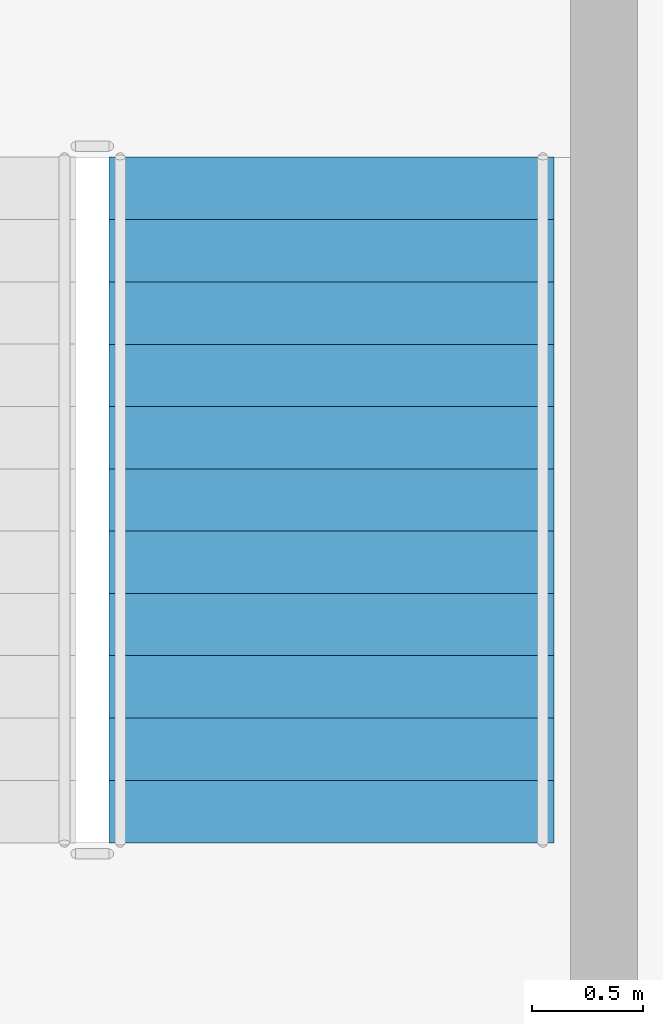
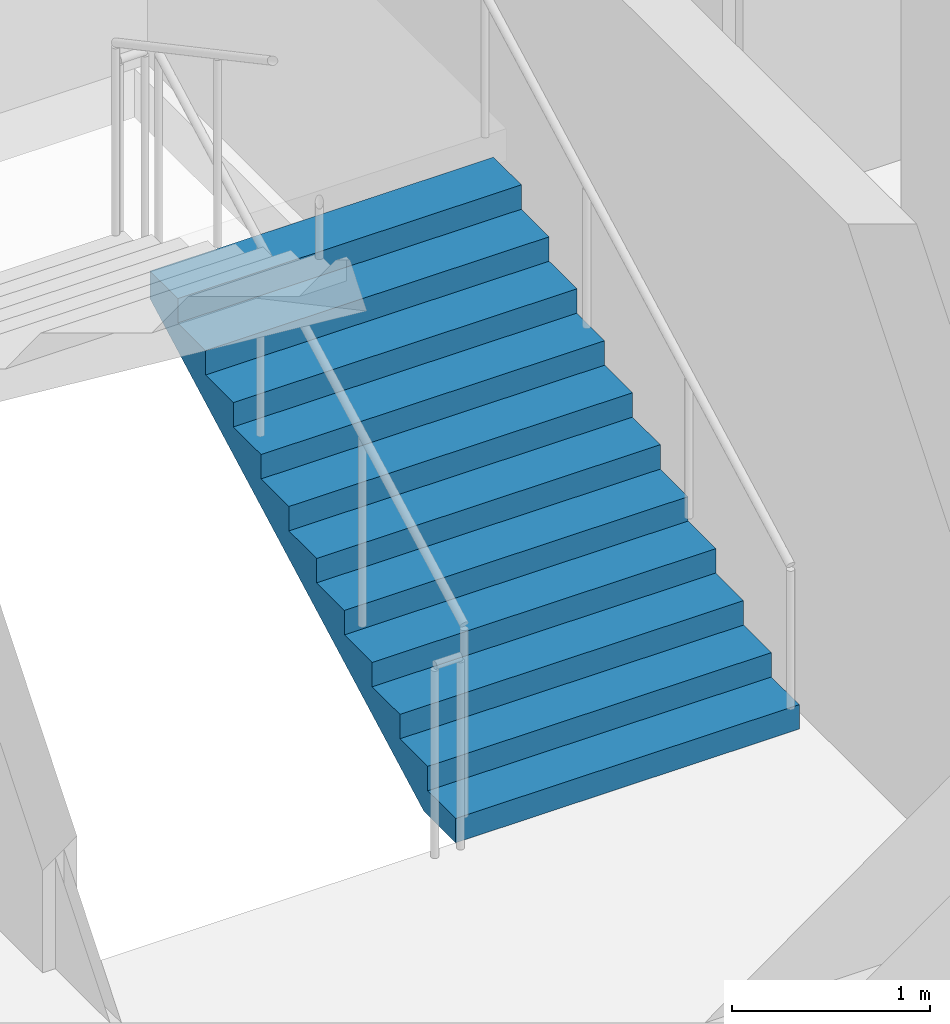
# One storey, part 12 of 15: 1 stair flight, 1 element without a shape of its own.
"""IFC4 building model written with IfcOpenShell, lengths in metres."""

from ifc_helpers import new_model, si_unit, direction, frame, origin, place, context, subcontext, project, spatial, polygons, material, type_object, element, aggregate, save


model = new_model("IFC4")

# Units and contexts
model_context = context("Model", 3, precision=1e-05, world=origin(), true_north=direction((0.0, 1.0)))
body_context = subcontext(model_context, "Body", "Model", "MODEL_VIEW")
ifc_project = project(units=[si_unit("LENGTHUNIT", "METRE"), si_unit("AREAUNIT", "SQUARE_METRE"), si_unit("VOLUMEUNIT", "CUBIC_METRE"), si_unit("PLANEANGLEUNIT", "RADIAN"), si_unit("MASSUNIT", "GRAM", prefix="KILO")], contexts=[model_context])

# Site, building, storey
site_placement = place(None, origin())
site = spatial("IfcSite", under=ifc_project, at=site_placement, CompositionType="ELEMENT")
building_placement = place(site_placement, origin())
building = spatial("IfcBuilding", under=site, at=building_placement, Name="Caravel Reach Hotel and Residences", CompositionType="ELEMENT")
storey_placement = place(building_placement, frame((0.0, 0.0, 111.60009765625)))
storey = spatial("IfcBuildingStorey", under=building, at=storey_placement, Name="L27", CompositionType="ELEMENT", Elevation=111.60009765625)

# Stair, stair flight
ifc_material_1 = material(Name="Concrete C40", Category="concrete")
stair_type = type_object("IfcStairType", Name="Core stair", PredefinedType="HALF_TURN_STAIR", material=ifc_material_1)
stair_placement = place(storey_placement, origin())
stair = element("IfcStair", 1, at=stair_placement, inside=storey, type_object=stair_type, Name="L27 Exit stair B", PredefinedType="HALF_TURN_STAIR")
ifc_material_2 = material(Name="Concrete C40", Category="concrete")
stair_flight_type = type_object("IfcStairFlightType", Name="Core stair flight", PredefinedType="STRAIGHT", material=ifc_material_2)
stair_flight_placement = place(storey_placement, frame((43.77490234375, 24.64990234375, 0.0), z_axis=(0.0, 0.0, 1.0), x_axis=(0.0, 1.0, 0.0)))
stair_flight = element("IfcStairFlight", 2, at=stair_flight_placement, type_object=stair_flight_type, Name="ST-B flight 1", NumberOfRisers=12, NumberOfTreads=11, PredefinedType="STRAIGHT", RiserHeight=0.15, TreadLength=0.28, context=body_context, shape_type="Tessellation", body=[
    polygons([(0.3174408016601862, 1.0, 0.0), (0.3174408016601862, 0.6666666666666667, 0.0), (0.3174408016601862, 0.33333333333333337, 0.0), (0.3174408016601862, 0.0, 0.0), (0.3174408016601862, -0.33333333333333326, 0.0), (0.3174408016601862, -0.6666666666666667, 0.0), (0.3174408016601862, -1.0, 0.0), (3.081, 1.0, 1.479942427682043), (3.081, 0.6666666666666667, 1.479942427682043), (3.081, 0.33333333333333337, 1.479942427682043), (3.081, 0.0, 1.479942427682043), (3.081, -0.33333333333333326, 1.479942427682043), (3.081, -0.6666666666666667, 1.479942427682043), (3.081, -1.0, 1.479942427682043), (3.081, 1.0, 1.65), (3.081, 0.6666666666666667, 1.65), (3.081, 0.33333333333333337, 1.65), (3.081, 0.0, 1.65), (3.081, -0.33333333333333326, 1.65), (3.081, -0.6666666666666667, 1.65), (3.081, -1.0, 1.65), (2.8000000000000003, 1.0, 1.65), (2.8000000000000003, 0.6666666666666667, 1.65), (2.8000000000000003, 0.33333333333333337, 1.65), (2.8000000000000003, 0.0, 1.65), (2.8000000000000003, -0.33333333333333326, 1.65), (2.8000000000000003, -0.6666666666666667, 1.65), (2.8000000000000003, -1.0, 1.65), (2.8000000000000003, 1.0, 1.5), (2.8000000000000003, 0.6666666666666667, 1.5), (2.8000000000000003, 0.33333333333333337, 1.5), (2.8000000000000003, 0.0, 1.5), (2.8000000000000003, -0.33333333333333326, 1.5), (2.8000000000000003, -0.6666666666666667, 1.5), (2.8000000000000003, -1.0, 1.5), (2.5200000000000005, 1.0, 1.5), (2.5200000000000005, 0.6666666666666667, 1.5), (2.5200000000000005, 0.33333333333333337, 1.5), (2.5200000000000005, 0.0, 1.5), (2.5200000000000005, -0.33333333333333326, 1.5), (2.5200000000000005, -0.6666666666666667, 1.5), (2.5200000000000005, -1.0, 1.5), (2.5200000000000005, 1.0, 1.3499999999999999), (2.5200000000000005, 0.6666666666666667, 1.3499999999999999), (2.5200000000000005, 0.33333333333333337, 1.3499999999999999), (2.5200000000000005, 0.0, 1.3499999999999999), (2.5200000000000005, -0.33333333333333326, 1.3499999999999999), (2.5200000000000005, -0.6666666666666667, 1.3499999999999999), (2.5200000000000005, -1.0, 1.3499999999999999), (2.24, 1.0, 1.3499999999999999), (2.24, 0.6666666666666667, 1.3499999999999999), (2.24, 0.33333333333333337, 1.3499999999999999), (2.24, 0.0, 1.3499999999999999), (2.24, -0.33333333333333326, 1.3499999999999999), (2.24, -0.6666666666666667, 1.3499999999999999), (2.24, -1.0, 1.3499999999999999), (2.24, 1.0, 1.2), (2.24, 0.6666666666666667, 1.2), (2.24, 0.33333333333333337, 1.2), (2.24, 0.0, 1.2), (2.24, -0.33333333333333326, 1.2), (2.24, -0.6666666666666667, 1.2), (2.24, -1.0, 1.2), (1.9600000000000002, 1.0, 1.2), (1.9600000000000002, 0.6666666666666667, 1.2), (1.9600000000000002, 0.33333333333333337, 1.2), (1.9600000000000002, 0.0, 1.2), (1.9600000000000002, -0.33333333333333326, 1.2), (1.9600000000000002, -0.6666666666666667, 1.2), (1.9600000000000002, -1.0, 1.2), (1.9600000000000002, 1.0, 1.05), (1.9600000000000002, 0.6666666666666667, 1.05), (1.9600000000000002, 0.33333333333333337, 1.05), (1.9600000000000002, 0.0, 1.05), (1.9600000000000002, -0.33333333333333326, 1.05), (1.9600000000000002, -0.6666666666666667, 1.05), (1.9600000000000002, -1.0, 1.05), (1.6800000000000002, 1.0, 1.05), (1.6800000000000002, 0.6666666666666667, 1.05), (1.6800000000000002, 0.33333333333333337, 1.05), (1.6800000000000002, 0.0, 1.05), (1.6800000000000002, -0.33333333333333326, 1.05), (1.6800000000000002, -0.6666666666666667, 1.05), (1.6800000000000002, -1.0, 1.05), (1.6800000000000002, 1.0, 0.8999999999999999), (1.6800000000000002, 0.6666666666666667, 0.8999999999999999), (1.6800000000000002, 0.33333333333333337, 0.8999999999999999), (1.6800000000000002, 0.0, 0.8999999999999999), (1.6800000000000002, -0.33333333333333326, 0.8999999999999999), (1.6800000000000002, -0.6666666666666667, 0.8999999999999999), (1.6800000000000002, -1.0, 0.8999999999999999), (1.4000000000000001, 1.0, 0.8999999999999999), (1.4000000000000001, 0.6666666666666667, 0.8999999999999999), (1.4000000000000001, 0.33333333333333337, 0.8999999999999999), (1.4000000000000001, 0.0, 0.8999999999999999), (1.4000000000000001, -0.33333333333333326, 0.8999999999999999), (1.4000000000000001, -0.6666666666666667, 0.8999999999999999), (1.4000000000000001, -1.0, 0.8999999999999999), (1.4000000000000001, 1.0, 0.75), (1.4000000000000001, 0.6666666666666667, 0.75), (1.4000000000000001, 0.33333333333333337, 0.75), (1.4000000000000001, 0.0, 0.75), (1.4000000000000001, -0.33333333333333326, 0.75), (1.4000000000000001, -0.6666666666666667, 0.75), (1.4000000000000001, -1.0, 0.75), (1.12, 1.0, 0.75), (1.12, 0.6666666666666667, 0.75), (1.12, 0.33333333333333337, 0.75), (1.12, 0.0, 0.75), (1.12, -0.33333333333333326, 0.75), (1.12, -0.6666666666666667, 0.75), (1.12, -1.0, 0.75), (1.12, 1.0, 0.6), (1.12, 0.6666666666666667, 0.6), (1.12, 0.33333333333333337, 0.6), (1.12, 0.0, 0.6), (1.12, -0.33333333333333326, 0.6), (1.12, -0.6666666666666667, 0.6), (1.12, -1.0, 0.6), (0.8400000000000001, 1.0, 0.6), (0.8400000000000001, 0.6666666666666667, 0.6), (0.8400000000000001, 0.33333333333333337, 0.6), (0.8400000000000001, 0.0, 0.6), (0.8400000000000001, -0.33333333333333326, 0.6), (0.8400000000000001, -0.6666666666666667, 0.6), (0.8400000000000001, -1.0, 0.6), (0.8400000000000001, 1.0, 0.44999999999999996), (0.8400000000000001, 0.6666666666666667, 0.44999999999999996), (0.8400000000000001, 0.33333333333333337, 0.44999999999999996), (0.8400000000000001, 0.0, 0.44999999999999996), (0.8400000000000001, -0.33333333333333326, 0.44999999999999996), (0.8400000000000001, -0.6666666666666667, 0.44999999999999996), (0.8400000000000001, -1.0, 0.44999999999999996), (0.56, 1.0, 0.44999999999999996), (0.56, 0.6666666666666667, 0.44999999999999996), (0.56, 0.33333333333333337, 0.44999999999999996), (0.56, 0.0, 0.44999999999999996), (0.56, -0.33333333333333326, 0.44999999999999996), (0.56, -0.6666666666666667, 0.44999999999999996), (0.56, -1.0, 0.44999999999999996), (0.56, 1.0, 0.3), (0.56, 0.6666666666666667, 0.3), (0.56, 0.33333333333333337, 0.3), (0.56, 0.0, 0.3), (0.56, -0.33333333333333326, 0.3), (0.56, -0.6666666666666667, 0.3), (0.56, -1.0, 0.3), (0.28, 1.0, 0.3), (0.28, 0.6666666666666667, 0.3), (0.28, 0.33333333333333337, 0.3), (0.28, 0.0, 0.3), (0.28, -0.33333333333333326, 0.3), (0.28, -0.6666666666666667, 0.3), (0.28, -1.0, 0.3), (0.28, 1.0, 0.15), (0.28, 0.6666666666666667, 0.15), (0.28, 0.33333333333333337, 0.15), (0.28, 0.0, 0.15), (0.28, -0.33333333333333326, 0.15), (0.28, -0.6666666666666667, 0.15), (0.28, -1.0, 0.15), (-0.001, 1.0, 0.15), (-0.001, 0.6666666666666667, 0.15), (-0.001, 0.33333333333333337, 0.15), (-0.001, 0.0, 0.15), (-0.001, -0.33333333333333326, 0.15), (-0.001, -0.6666666666666667, 0.15), (-0.001, -1.0, 0.15), (-0.001, 1.0, 0.0), (-0.001, 0.6666666666666667, 0.0), (-0.001, 0.33333333333333337, 0.0), (-0.001, 0.0, 0.0), (-0.001, -0.33333333333333326, 0.0), (-0.001, -0.6666666666666667, 0.0), (-0.001, -1.0, 0.0)], [[[169, 162, 155, 148, 141, 134, 127, 120, 113, 106, 99, 92, 85, 78, 71, 64, 57, 50, 43, 36, 29, 22, 15, 8, 1]], [[7, 14, 21, 28, 35, 42, 49, 56, 63, 70, 77, 84, 91, 98, 105, 112, 119, 126, 133, 140, 147, 154, 161, 168, 175]], [[1, 8, 9, 2]], [[2, 9, 10, 3]], [[3, 10, 11, 4]], [[4, 11, 12, 5]], [[5, 12, 13, 6]], [[6, 13, 14, 7]], [[8, 15, 16, 9]], [[9, 16, 17, 10]], [[10, 17, 18, 11]], [[11, 18, 19, 12]], [[12, 19, 20, 13]], [[13, 20, 21, 14]], [[15, 22, 23, 16]], [[16, 23, 24, 17]], [[17, 24, 25, 18]], [[18, 25, 26, 19]], [[19, 26, 27, 20]], [[20, 27, 28, 21]], [[22, 29, 30, 23]], [[23, 30, 31, 24]], [[24, 31, 32, 25]], [[25, 32, 33, 26]], [[26, 33, 34, 27]], [[27, 34, 35, 28]], [[29, 36, 37, 30]], [[30, 37, 38, 31]], [[31, 38, 39, 32]], [[32, 39, 40, 33]], [[33, 40, 41, 34]], [[34, 41, 42, 35]], [[36, 43, 44, 37]], [[37, 44, 45, 38]], [[38, 45, 46, 39]], [[39, 46, 47, 40]], [[40, 47, 48, 41]], [[41, 48, 49, 42]], [[43, 50, 51, 44]], [[44, 51, 52, 45]], [[45, 52, 53, 46]], [[46, 53, 54, 47]], [[47, 54, 55, 48]], [[48, 55, 56, 49]], [[50, 57, 58, 51]], [[51, 58, 59, 52]], [[52, 59, 60, 53]], [[53, 60, 61, 54]], [[54, 61, 62, 55]], [[55, 62, 63, 56]], [[57, 64, 65, 58]], [[58, 65, 66, 59]], [[59, 66, 67, 60]], [[60, 67, 68, 61]], [[61, 68, 69, 62]], [[62, 69, 70, 63]], [[64, 71, 72, 65]], [[65, 72, 73, 66]], [[66, 73, 74, 67]], [[67, 74, 75, 68]], [[68, 75, 76, 69]], [[69, 76, 77, 70]], [[71, 78, 79, 72]], [[72, 79, 80, 73]], [[73, 80, 81, 74]], [[74, 81, 82, 75]], [[75, 82, 83, 76]], [[76, 83, 84, 77]], [[78, 85, 86, 79]], [[79, 86, 87, 80]], [[80, 87, 88, 81]], [[81, 88, 89, 82]], [[82, 89, 90, 83]], [[83, 90, 91, 84]], [[85, 92, 93, 86]], [[86, 93, 94, 87]], [[87, 94, 95, 88]], [[88, 95, 96, 89]], [[89, 96, 97, 90]], [[90, 97, 98, 91]], [[92, 99, 100, 93]], [[93, 100, 101, 94]], [[94, 101, 102, 95]], [[95, 102, 103, 96]], [[96, 103, 104, 97]], [[97, 104, 105, 98]], [[99, 106, 107, 100]], [[100, 107, 108, 101]], [[101, 108, 109, 102]], [[102, 109, 110, 103]], [[103, 110, 111, 104]], [[104, 111, 112, 105]], [[106, 113, 114, 107]], [[107, 114, 115, 108]], [[108, 115, 116, 109]], [[109, 116, 117, 110]], [[110, 117, 118, 111]], [[111, 118, 119, 112]], [[113, 120, 121, 114]], [[114, 121, 122, 115]], [[115, 122, 123, 116]], [[116, 123, 124, 117]], [[117, 124, 125, 118]], [[118, 125, 126, 119]], [[120, 127, 128, 121]], [[121, 128, 129, 122]], [[122, 129, 130, 123]], [[123, 130, 131, 124]], [[124, 131, 132, 125]], [[125, 132, 133, 126]], [[127, 134, 135, 128]], [[128, 135, 136, 129]], [[129, 136, 137, 130]], [[130, 137, 138, 131]], [[131, 138, 139, 132]], [[132, 139, 140, 133]], [[134, 141, 142, 135]], [[135, 142, 143, 136]], [[136, 143, 144, 137]], [[137, 144, 145, 138]], [[138, 145, 146, 139]], [[139, 146, 147, 140]], [[141, 148, 149, 142]], [[142, 149, 150, 143]], [[143, 150, 151, 144]], [[144, 151, 152, 145]], [[145, 152, 153, 146]], [[146, 153, 154, 147]], [[148, 155, 156, 149]], [[149, 156, 157, 150]], [[150, 157, 158, 151]], [[151, 158, 159, 152]], [[152, 159, 160, 153]], [[153, 160, 161, 154]], [[155, 162, 163, 156]], [[156, 163, 164, 157]], [[157, 164, 165, 158]], [[158, 165, 166, 159]], [[159, 166, 167, 160]], [[160, 167, 168, 161]], [[162, 169, 170, 163]], [[163, 170, 171, 164]], [[164, 171, 172, 165]], [[165, 172, 173, 166]], [[166, 173, 174, 167]], [[167, 174, 175, 168]], [[169, 1, 2, 170]], [[170, 2, 3, 171]], [[171, 3, 4, 172]], [[172, 4, 5, 173]], [[173, 5, 6, 174]], [[174, 6, 7, 175]]], closed=True),
])
aggregate(stair, [stair_flight])

save(model, "model.ifc")
